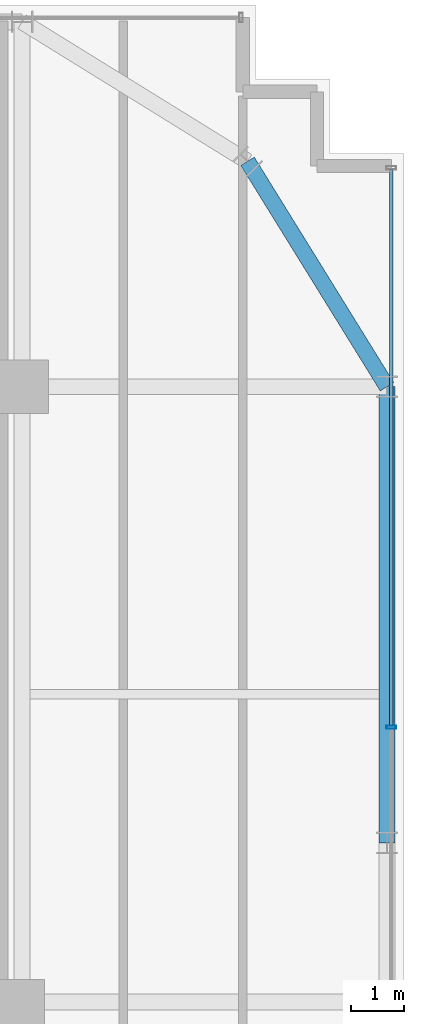
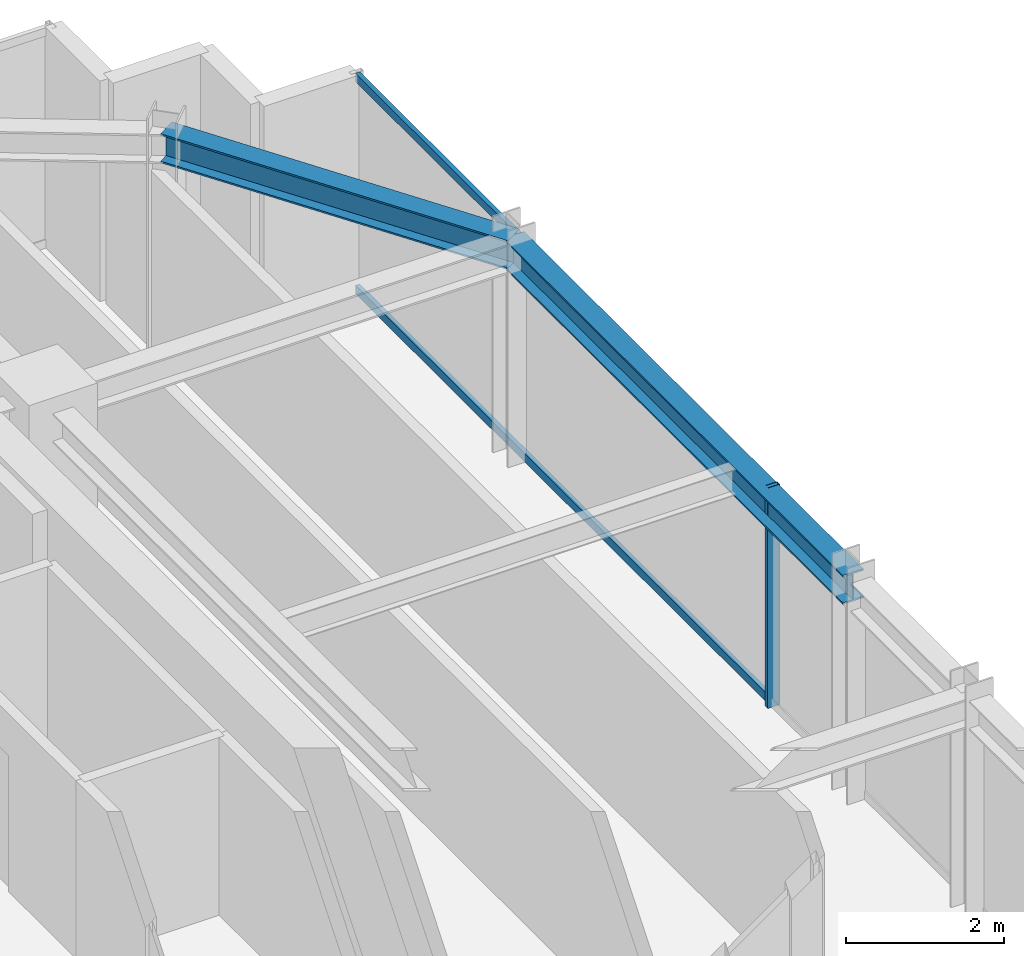
# One storey, part 22 of 32: 3 members, 2 beams, 1 element without a shape of its own.
"""IFC4 building model written with IfcOpenShell, lengths in metres."""

import ifcopenshell
import ifcopenshell.guid

model = None  # the IFC model being written
_history = None  # IfcOwnerHistory: only IFC2X3 demands one
_inside = {}  # id of a spatial element -> (the spatial element, [elements in it])
_under = {}  # id of a project, library or spatial element -> (it, [spatial elements below it])
_declared = {}  # id of a project -> (the project, [libraries it declares])
_typed = {}  # id of a type object -> (the type object, [elements of that type])
_made_of = {}  # id of a material, layer set ... -> (it, [elements and type objects made of it])


def new_model(schema):
    """Start an empty IFC model of exactly this schema.

    Asked for "IFC4X3", IfcOpenShell would pick the latest addendum, in which some entities
    have other attributes; the version numbers below select the first issue.
    IFC2X3 requires an IfcOwnerHistory on every rooted entity: one is made here for all.
    """
    global model, _history
    if schema == "IFC4X3":
        model = ifcopenshell.file(schema_version=(4, 3, 0, 0))
    else:
        model = ifcopenshell.file(schema=schema)
    _inside.clear()
    _under.clear()
    _declared.clear()
    _typed.clear()
    _made_of.clear()
    _history = None
    if model.schema == "IFC2X3":
        org = make("IfcOrganization", Name="unknown")
        user = make(
            "IfcPersonAndOrganization",
            ThePerson=make("IfcPerson", FamilyName="unknown"),
            TheOrganization=org,
        )
        app = make(
            "IfcApplication",
            ApplicationDeveloper=org,
            Version="unknown",
            ApplicationFullName="unknown",
            ApplicationIdentifier="unknown",
        )
        _history = make(
            "IfcOwnerHistory",
            OwningUser=user,
            OwningApplication=app,
            ChangeAction="ADDED",
            CreationDate=0,
        )
    return model


def make(cls, **values):
    """One entity of the class cls with the attributes given. An attribute that is None is left unset."""
    return model.create_entity(
        cls, **{name: value for name, value in values.items() if value is not None}
    )


def rooted(cls, **values):
    """An entity with a GlobalId (a new one), such as an element, a storey or a relation."""
    return make(cls, GlobalId=ifcopenshell.guid.new(), OwnerHistory=_history, **values)


def si_unit(unit_type, name, prefix=None):
    """IfcSIUnit, for example si_unit("LENGTHUNIT", "METRE", prefix="MILLI")."""
    return make("IfcSIUnit", UnitType=unit_type, Prefix=prefix, Name=name)


def assignment(units):
    """IfcUnitAssignment: the units of a project."""
    return None if units is None else make("IfcUnitAssignment", Units=units)


def point(xyz):
    """IfcCartesianPoint."""
    return None if xyz is None else make("IfcCartesianPoint", Coordinates=xyz)


def direction(xyz):
    """IfcDirection."""
    return None if xyz is None else make("IfcDirection", DirectionRatios=xyz)


def frame(location, z_axis=None, x_axis=None):
    """IfcAxis2Placement3D, a coordinate frame: its origin and axes. An axis left out is left unset."""
    return make(
        "IfcAxis2Placement3D",
        Location=point(location),
        Axis=direction(z_axis),
        RefDirection=direction(x_axis),
    )


def frame_2d(location, x_axis=None):
    """IfcAxis2Placement2D, a coordinate frame in the plane: its origin and x axis."""
    return make(
        "IfcAxis2Placement2D", Location=point(location), RefDirection=direction(x_axis)
    )


def origin():
    """The frame at (0, 0, 0) with its axes left unset."""
    return frame((0.0, 0.0, 0.0))


def origin_2d():
    """The frame at (0, 0) in the plane with its x axis left unset."""
    return frame_2d((0.0, 0.0))


def place(relative_to, where):
    """IfcLocalPlacement: puts the frame where relative to a parent placement (None: the world)."""
    return make(
        "IfcLocalPlacement", PlacementRelTo=relative_to, RelativePlacement=where
    )


def context(
    kind, dimensions, precision=None, world=None, true_north=None, identifier=None
):
    """IfcGeometricRepresentationContext, for example the 3D "Model" context."""
    return make(
        "IfcGeometricRepresentationContext",
        ContextIdentifier=identifier,
        ContextType=kind,
        CoordinateSpaceDimension=dimensions,
        Precision=precision,
        WorldCoordinateSystem=world,
        TrueNorth=true_north,
    )


def subcontext(parent, identifier, kind, view, scale=None):
    """IfcGeometricRepresentationSubContext, for example "Body" below "Model"."""
    return make(
        "IfcGeometricRepresentationSubContext",
        ContextIdentifier=identifier,
        ContextType=kind,
        ParentContext=parent,
        TargetScale=scale,
        TargetView=view,
    )


def project(units=None, contexts=None):
    """IfcProject with its units and contexts."""
    return rooted(
        "IfcProject",
        Name="project",
        RepresentationContexts=contexts,
        UnitsInContext=assignment(units),
    )


def spatial(cls, under=None, at=None, **own):
    """A site, building, storey or space (cls), placed at a placement, below another one or the project."""
    s = rooted(cls, ObjectPlacement=at, **own)
    if under is not None:
        _under.setdefault(under.id(), (under, []))[1].append(s)
    return s


def profile(cls, at=None, kind="AREA", **sizes):
    """A parametric profile (cls). Its sizes go by their IFC names, for example OverallWidth=200.0."""
    return make(cls, ProfileType=kind, Position=at, **sizes)


def hollow_rectangle(**sizes):
    """IfcRectangleHollowProfileDef."""
    return profile("IfcRectangleHollowProfileDef", **sizes)


def i_section(**sizes):
    """IfcIShapeProfileDef."""
    return profile("IfcIShapeProfileDef", **sizes)


def extrude(swept, where, along, depth):
    """IfcExtrudedAreaSolid: the profile swept, set in the frame where, extruded along a direction by depth."""
    return make(
        "IfcExtrudedAreaSolid",
        SweptArea=swept,
        Position=where,
        ExtrudedDirection=direction(along),
        Depth=depth,
    )


def shape(context_of_items, identifier, shape_type, items):
    """IfcShapeRepresentation: the items that make up one representation, for example the "Body"."""
    return make(
        "IfcShapeRepresentation",
        ContextOfItems=context_of_items,
        RepresentationIdentifier=identifier,
        RepresentationType=shape_type,
        Items=items,
    )


def source(mapping_origin, context_of_items, identifier, shape_type, items):
    """IfcRepresentationMap: a shape defined once, which mapped items show again and again."""
    return make(
        "IfcRepresentationMap",
        MappingOrigin=mapping_origin,
        MappedRepresentation=shape(context_of_items, identifier, shape_type, items),
    )


def transform(
    local_origin,
    x_axis=None,
    y_axis=None,
    z_axis=None,
    scale=None,
    scale2=None,
    scale3=None,
    uniform=True,
):
    """IfcCartesianTransformationOperator3D, or its non-uniform kind. x_axis, y_axis, z_axis: its Axis1, 2, 3."""
    if uniform:
        return make(
            "IfcCartesianTransformationOperator3D",
            Axis1=direction(x_axis),
            Axis2=direction(y_axis),
            LocalOrigin=point(local_origin),
            Scale=scale,
            Axis3=direction(z_axis),
        )
    return make(
        "IfcCartesianTransformationOperator3DnonUniform",
        Axis1=direction(x_axis),
        Axis2=direction(y_axis),
        LocalOrigin=point(local_origin),
        Scale=scale,
        Axis3=direction(z_axis),
        Scale2=scale2,
        Scale3=scale3,
    )


def mapped(mapping_source, mapping_target):
    """IfcMappedItem: shows the shape of a source again, moved by a transform."""
    return make(
        "IfcMappedItem", MappingSource=mapping_source, MappingTarget=mapping_target
    )


def material(Name=None, Category=None):
    """IfcMaterial."""
    return make("IfcMaterial", Name=Name, Category=Category)


def material_profile(
    of_material, cross_section, Name=None, Category=None, Priority=None
):
    """IfcMaterialProfile: a cross section and its material."""
    return make(
        "IfcMaterialProfile",
        Name=Name,
        Material=of_material,
        Profile=cross_section,
        Priority=Priority,
        Category=Category,
    )


def profile_set(profiles, Name=None, composite=None):
    """IfcMaterialProfileSet."""
    return make(
        "IfcMaterialProfileSet",
        Name=Name,
        MaterialProfiles=profiles,
        CompositeProfile=composite,
    )


def made_of(thing, what):
    """Note that an element or type object is made of a material, layer set ...; save() writes the relation."""
    if what is not None:
        _made_of.setdefault(what.id(), (what, []))[1].append(thing)
    return thing


def type_object(cls, material=None, **own):
    """A type object (cls), such as IfcWallType, which elements share."""
    return made_of(rooted(cls, **own), material)


def element(
    cls,
    number,
    at=None,
    inside=None,
    cuts=None,
    type_object=None,
    material=None,
    context=None,
    identifier="Body",
    shape_type=None,
    held_by="IfcProductDefinitionShape",
    body=None,
    shapes=None,
    **own,
):
    """One element of the class cls, such as IfcWall. Its Tag is "e" and its number.

    at: its placement. inside: the storey or other place that contains it. cuts: it is an
    opening in that element (IfcRelVoidsElement). A single representation is given by context,
    identifier, shape_type and body (its items); several are given by shapes. held_by: the class
    of the entity that holds the representations. save() writes the other relations.
    """
    e = rooted(cls, Tag="e%d" % number, ObjectPlacement=at, **own)
    if body is not None:
        shapes = [shape(context, identifier, shape_type, body)]
    if shapes is not None:
        e.Representation = make(held_by, Representations=shapes)
    if inside is not None:
        _inside.setdefault(inside.id(), (inside, []))[1].append(e)
    if cuts is not None:
        rooted(
            "IfcRelVoidsElement", RelatingBuildingElement=cuts, RelatedOpeningElement=e
        )
    if type_object is not None:
        _typed.setdefault(type_object.id(), (type_object, []))[1].append(e)
    return made_of(e, material)


def aggregate(whole, parts):
    """IfcRelAggregates: a whole, such as a stair, and the parts it consists of."""
    return rooted("IfcRelAggregates", RelatingObject=whole, RelatedObjects=parts)


def save(model, path):
    """Write the relations noted so far, then the file.

    IfcRelAggregates (storeys below a building ...), IfcRelContainedInSpatialStructure (elements
    in a storey), IfcRelDefinesByType, IfcRelAssociatesMaterial and IfcRelDeclares: one each for
    every whole, place, type object, material and project.
    """
    for whole, parts in _under.values():
        aggregate(whole, parts)
    for where, things in _inside.values():
        rooted(
            "IfcRelContainedInSpatialStructure",
            RelatedElements=things,
            RelatingStructure=where,
        )
    for kind, things in _typed.values():
        rooted("IfcRelDefinesByType", RelatedObjects=things, RelatingType=kind)
    for what, things in _made_of.values():
        rooted("IfcRelAssociatesMaterial", RelatedObjects=things, RelatingMaterial=what)
    for by, libraries in _declared.values():
        rooted("IfcRelDeclares", RelatingContext=by, RelatedDefinitions=libraries)
    model.write(path)


model = new_model("IFC4")

# Units and contexts
model_context = context("Model", 3, precision=1e-05, world=origin(), true_north=direction((0.0, 1.0)))
body_context = subcontext(model_context, "Body", "Model", "MODEL_VIEW")
ifc_project = project(units=[si_unit("LENGTHUNIT", "METRE"), si_unit("AREAUNIT", "SQUARE_METRE"), si_unit("VOLUMEUNIT", "CUBIC_METRE"), si_unit("PLANEANGLEUNIT", "RADIAN"), si_unit("MASSUNIT", "GRAM", prefix="KILO")], contexts=[model_context])

# Site, building, storey
site_placement = place(None, origin())
site = spatial("IfcSite", under=ifc_project, at=site_placement, CompositionType="ELEMENT")
building_placement = place(site_placement, origin())
building = spatial("IfcBuilding", under=site, at=building_placement, Name="Nahalor Promenade Grand Hotel", CompositionType="ELEMENT")
storey_placement = place(building_placement, frame((0.0, 0.0, 230.800048828125)))
storey = spatial("IfcBuildingStorey", under=building, at=storey_placement, Name="L59", CompositionType="ELEMENT", Elevation=230.800048828125)

# Beams
ifc_material_1 = material(Name="Steel S355JR", Category="steel")
ifc_material_profile_1 = material_profile(ifc_material_1, i_section(OverallWidth=0.3, OverallDepth=0.45, WebThickness=0.014, FlangeThickness=0.026, at=origin_2d()), Name="HEB 450")
ifc_profile_set_1 = profile_set([ifc_material_profile_1], Name="Steel S355JR")
beam_type = type_object("IfcBeamType", Name="Beam-Spandrel-HEB450", PredefinedType="SPANDREL", material=ifc_profile_set_1)
shared_shape_1 = source(origin(), body_context, "Body", "SweptSolid", [
    extrude(i_section(OverallWidth=0.3, OverallDepth=0.45, WebThickness=0.014, FlangeThickness=0.026, at=origin_2d()), origin(), (0.0, 0.0, 1.0), 8.60009765625),
])
beam_1_placement = place(storey_placement, frame((23.8798828125, 8.39990234375, 3.18505859375), z_axis=(0.0, 1.0, 0.0), x_axis=(-1.0, 0.0, 0.0)))
element("IfcBeam", 1, at=beam_1_placement, inside=storey, type_object=beam_type, Name="BM-L59-SP-E-4", PredefinedType="SPANDREL", context=body_context, shape_type="MappedRepresentation", body=[
    mapped(shared_shape_1, transform((0.0, 0.0, 0.0), scale=1.0)),
])
shared_shape_2 = source(origin(), body_context, "Body", "SweptSolid", [
    extrude(i_section(OverallWidth=0.3, OverallDepth=0.45, WebThickness=0.014, FlangeThickness=0.026, at=origin_2d()), origin(), (0.0, 0.0, 1.0), 4.997802734375),
])
beam_2_placement = place(storey_placement, frame((21.25, 21.25, 3.18505859375), z_axis=(0.526199891161, -0.850360908404, 0.0), x_axis=(0.850360908404, 0.526199891161, 0.0)))
element("IfcBeam", 2, at=beam_2_placement, inside=storey, type_object=beam_type, Name="BM-L59-SPC-NE-2", PredefinedType="SPANDREL", context=body_context, shape_type="MappedRepresentation", body=[
    mapped(shared_shape_2, transform((0.0, 0.0, 0.0), scale=1.0)),
])

# Curtain wall, members
ifc_material_2 = material(Name="Anodised Bronze Aluminium EN AW-6063 T6", Category="aluminium")
curtain_wall_type = type_object("IfcCurtainWallType", Name="CW2 Typical Hotel Flush Bronze Unitised Curtain Wall", PredefinedType="USERDEFINED", material=ifc_material_2)
curtain_wall_placement = place(storey_placement, origin())
curtain_wall = element("IfcCurtainWall", 3, at=curtain_wall_placement, inside=storey, type_object=curtain_wall_type, Name="L59 Curtain Wall CW-L59-E-1", ObjectType="UNITISED_CURTAIN_WALL", PredefinedType="USERDEFINED")
ifc_material_profile_2 = material_profile(ifc_material_2, hollow_rectangle(XDim=0.065, YDim=0.13, WallThickness=0.004, at=origin_2d()), Name="CWT 65x130x4")
ifc_profile_set_2 = profile_set([ifc_material_profile_2], Name="Anodised Bronze Aluminium EN AW-6063 T6")
member_type_1 = type_object("IfcMemberType", Name="CWT2 Typical Bronze Transom 65x130", PredefinedType="USERDEFINED", material=ifc_profile_set_2)
shared_shape_3 = source(origin(), body_context, "Body", "SweptSolid", [
    extrude(hollow_rectangle(XDim=0.065, YDim=0.13, WallThickness=0.004, at=origin_2d()), origin(), (0.0, 0.0, 1.0), 10.482421875),
])
member_1_placement = place(storey_placement, frame((23.9599609375, 10.612548828125, 0.06494140625), z_axis=(0.0, 1.0, 0.0), x_axis=(-1.0, 0.0, 0.0)))
member_1 = element("IfcMember", 4, at=member_1_placement, type_object=member_type_1, Name="CW-L59-E-1 Transom 3-0", ObjectType="TRANSOM", PredefinedType="USERDEFINED", context=body_context, shape_type="MappedRepresentation", body=[
    mapped(shared_shape_3, transform((0.0, 0.0, 0.0), scale=1.0)),
])
member_2_placement = place(storey_placement, frame((23.9599609375, 10.612548828125, 3.344970703125), z_axis=(0.0, 1.0, 0.0), x_axis=(-1.0, 0.0, 0.0)))
member_2 = element("IfcMember", 5, at=member_2_placement, type_object=member_type_1, Name="CW-L59-E-1 Transom 3-1", ObjectType="TRANSOM", PredefinedType="USERDEFINED", context=body_context, shape_type="MappedRepresentation", body=[
    mapped(shared_shape_3, transform((0.0, 0.0, 0.0), scale=1.0)),
])
ifc_material_profile_3 = material_profile(ifc_material_2, hollow_rectangle(XDim=0.065, YDim=0.18, WallThickness=0.004, at=origin_2d()), Name="CWM 65x180x4")
ifc_profile_set_3 = profile_set([ifc_material_profile_3], Name="Anodised Bronze Aluminium EN AW-6063 T6")
member_type_2 = type_object("IfcMemberType", Name="CWM2 Typical Bronze Mullion 65x180", PredefinedType="MULLION", material=ifc_profile_set_3)
shared_shape_4 = source(origin(), body_context, "Body", "SweptSolid", [
    extrude(hollow_rectangle(XDim=0.065, YDim=0.18, WallThickness=0.004, at=origin_2d()), origin(), (0.0, 0.0, 1.0), 3.409912109375),
])
member_3_placement = place(storey_placement, frame((23.9599609375, 10.580078125, 0.0), z_axis=(0.0, 0.0, 1.0), x_axis=(0.0, 1.0, 0.0)))
member_3 = element("IfcMember", 6, at=member_3_placement, type_object=member_type_2, Name="CW-L59-E-1 Mullion 3", PredefinedType="MULLION", context=body_context, shape_type="MappedRepresentation", body=[
    mapped(shared_shape_4, transform((0.0, 0.0, 0.0), scale=1.0)),
])
aggregate(curtain_wall, [member_3, member_1, member_2])

save(model, "model.ifc")
